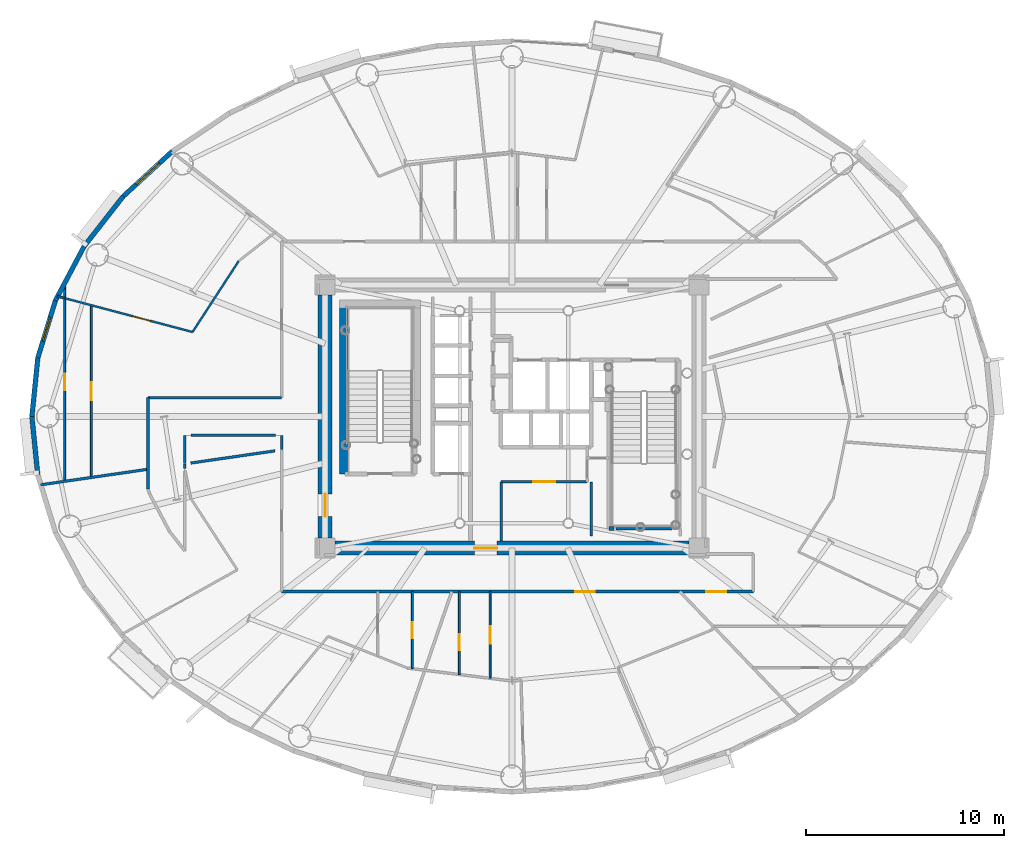
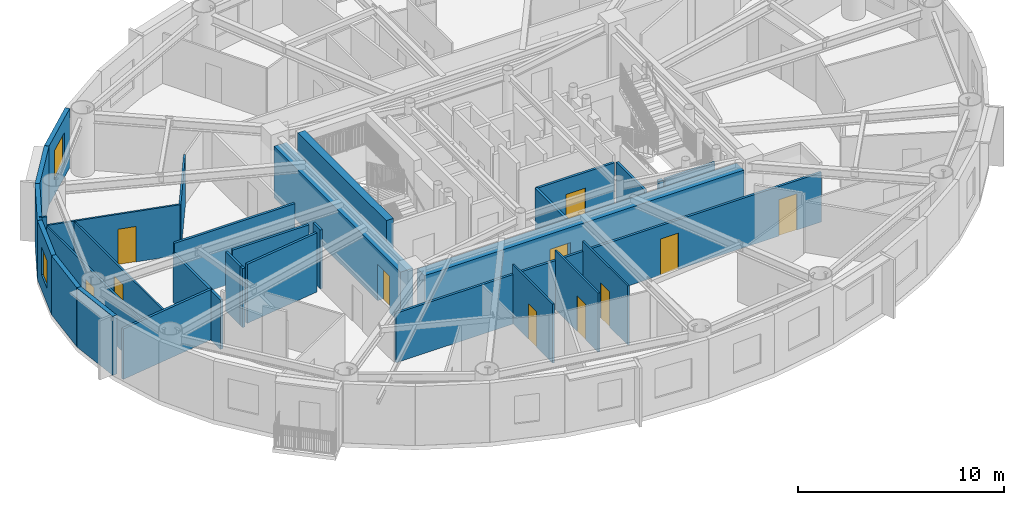
# One storey, part 9 of 20: 31 walls, 11 doors, 2 windows, 13 openings.
"""IFC4 building model written with IfcOpenShell, lengths in metres."""

from ifc_helpers import new_model, si_unit, direction, frame, frame_2d, origin, origin_2d, place, context, subcontext, project, spatial, rectangle, extrude, source, transform, mapped, material, layer, layer_set, type_object, element, fill, save


model = new_model("IFC4")

# Units and contexts
model_context = context("Model", 3, precision=1e-05, world=origin(), true_north=direction((0.0, 1.0)))
body_context = subcontext(model_context, "Body", "Model", "MODEL_VIEW")
ifc_project = project(units=[si_unit("LENGTHUNIT", "METRE"), si_unit("AREAUNIT", "SQUARE_METRE"), si_unit("VOLUMEUNIT", "CUBIC_METRE"), si_unit("PLANEANGLEUNIT", "RADIAN"), si_unit("MASSUNIT", "GRAM", prefix="KILO")], contexts=[model_context])

# Site, building, storey
site_placement = place(None, origin())
site = spatial("IfcSite", under=ifc_project, at=site_placement, CompositionType="ELEMENT")
building_placement = place(site_placement, origin())
building = spatial("IfcBuilding", under=site, at=building_placement, Name="Linh Dai School and Residence Tower", CompositionType="ELEMENT")
storey_placement = place(building_placement, frame((0.0, 0.0, 232.800048828125)))
storey = spatial("IfcBuildingStorey", under=building, at=storey_placement, Name="L57", CompositionType="ELEMENT", Elevation=232.800048828125)

# Wall, opening, window
ifc_material_1 = material(Name="Precast Concrete B45 (C35/45)", Category="concrete")
ifc_layer_1 = layer(ifc_material_1, 0.239990234375)
ifc_layer_set_1 = layer_set([ifc_layer_1], Name="Precast Concrete B45 (C35/45)")
wall_type_1 = type_object("IfcWallType", Name="EW-TC-240", PredefinedType="SOLIDWALL", material=ifc_layer_set_1)
wall_1_placement = place(storey_placement, frame((16.3515625, 38.14453125, 0.0), z_axis=(0.0, 0.0, 1.0), x_axis=(0.737123922599, 0.675757591694, 0.0)))
wall_1 = element("IfcWall", 1, at=wall_1_placement, inside=storey, type_object=wall_type_1, Name="L57 Terracotta Exterior Wall 16", PredefinedType="SOLIDWALL", context=body_context, shape_type="SweptSolid", body=[
    extrude(rectangle(XDim=3.353759765625, YDim=0.239990234375, at=frame_2d((1.6767578125, 0.0))), origin(), (0.0, 0.0, 1.0), 3.5),
])
opening_1_placement = place(wall_1_placement, frame((0.87255859375, 0.0, 0.89990234375)))
opening_1 = element("IfcOpeningElement", 2, at=opening_1_placement, cuts=wall_1, Name="Opening W2", PredefinedType="OPENING", context=body_context, shape_type="SweptSolid", body=[
    extrude(rectangle(XDim=1.60009765625, YDim=1.75, at=origin_2d()), frame((0.800048828125, 0.1298828125, 0.875), z_axis=(0.0, -1.0, 0.0), x_axis=(1.0, 0.0, 0.0)), (0.0, 0.0, 1.0), 0.260009765625),
])
ifc_material_2 = material(Name="Double Low-E Insulated Glazing", Category="glass")
window_type_1 = type_object("IfcWindowType", Name="WN-RES-1600x1750", PartitioningType="DOUBLE_PANEL_VERTICAL", PredefinedType="WINDOW", material=ifc_material_2)
shared_shape_1 = source(origin(), body_context, "Body", "SweptSolid", [
    extrude(rectangle(XDim=1.60009765625, YDim=1.75, at=origin_2d()), frame((0.800048828125, 0.030029296875, 0.875), z_axis=(0.0, -1.0, 0.0), x_axis=(1.0, 0.0, 0.0)), (0.0, 0.0, 1.0), 0.06005859375),
])
window_1_placement = place(opening_1_placement, origin())
window_1 = element("IfcWindow", 3, at=window_1_placement, inside=storey, type_object=window_type_1, Name="L57 Exterior Window 16.1", OverallHeight=1.75, OverallWidth=1.60009765625, PartitioningType="DOUBLE_PANEL_VERTICAL", PredefinedType="WINDOW", context=body_context, shape_type="MappedRepresentation", body=[
    mapped(shared_shape_1, transform((0.0, 0.0, 0.0), x_axis=(1.0, 0.0, 0.0), y_axis=(0.0, 1.0, 0.0), z_axis=(0.0, 0.0, 1.0), scale=1.0)),
])
fill(opening_1, window_1)

# Walls
wall_2_placement = place(storey_placement, frame((14.3642578125, 35.605224609375, 0.0), z_axis=(0.0, 0.0, 1.0), x_axis=(0.616312344705, 0.787501805562, 0.0)))
element("IfcWall", 4, at=wall_2_placement, inside=storey, type_object=wall_type_1, Name="L57 Terracotta Exterior Wall 17", PredefinedType="SOLIDWALL", context=body_context, shape_type="SweptSolid", body=[
    extrude(rectangle(XDim=3.224609375, YDim=0.239990234375, at=frame_2d((1.6123046875, 0.0))), origin(), (0.0, 0.0, 1.0), 3.5),
])
wall_3_placement = place(storey_placement, frame((12.90966796875, 32.85595703125, 0.0), z_axis=(0.0, 0.0, 1.0), x_axis=(0.46766049993, 0.883908172157, 0.0)))
element("IfcWall", 5, at=wall_3_placement, inside=storey, type_object=wall_type_1, Name="L57 Terracotta Exterior Wall 18", PredefinedType="SOLIDWALL", context=body_context, shape_type="SweptSolid", body=[
    extrude(rectangle(XDim=3.1103515625, YDim=0.239990234375, at=frame_2d((1.55517578125, 0.0))), origin(), (0.0, 0.0, 1.0), 3.5),
])

# Wall, opening, window
wall_4_placement = place(storey_placement, frame((12.02294921875, 29.9638671875, 0.0), z_axis=(0.0, 0.0, 1.0), x_axis=(0.293132907334, 0.95607170162, 0.0)))
wall_4 = element("IfcWall", 6, at=wall_4_placement, inside=storey, type_object=wall_type_1, Name="L57 Terracotta Exterior Wall 19", PredefinedType="SOLIDWALL", context=body_context, shape_type="SweptSolid", body=[
    extrude(rectangle(XDim=3.02490234375, YDim=0.239990234375, at=frame_2d((1.512451171875, 0.0))), origin(), (0.0, 0.0, 1.0), 3.5),
])
opening_2_placement = place(wall_4_placement, frame((0.887451171875, 0.0, 0.89990234375)))
opening_2 = element("IfcOpeningElement", 7, at=opening_2_placement, cuts=wall_4, Name="Opening W3", PredefinedType="OPENING", context=body_context, shape_type="SweptSolid", body=[
    extrude(rectangle(XDim=1.25, YDim=1.64990234375, at=origin_2d()), frame((0.625, 0.1298828125, 0.824951171875), z_axis=(0.0, -1.0, 0.0), x_axis=(1.0, 0.0, 0.0)), (0.0, 0.0, 1.0), 0.260009765625),
])
window_type_2 = type_object("IfcWindowType", Name="WN-RES-1250x1650", PartitioningType="SINGLE_PANEL", PredefinedType="WINDOW", material=ifc_material_2)
shared_shape_2 = source(origin(), body_context, "Body", "SweptSolid", [
    extrude(rectangle(XDim=1.25, YDim=1.64990234375, at=origin_2d()), frame((0.625, 0.030029296875, 0.824951171875), z_axis=(0.0, -1.0, 0.0), x_axis=(1.0, 0.0, 0.0)), (0.0, 0.0, 1.0), 0.06005859375),
])
window_2_placement = place(opening_2_placement, origin())
window_2 = element("IfcWindow", 8, at=window_2_placement, inside=storey, type_object=window_type_2, Name="L57 Exterior Window 19.1", OverallHeight=1.64990234375, OverallWidth=1.25, PartitioningType="SINGLE_PANEL", PredefinedType="WINDOW", context=body_context, shape_type="MappedRepresentation", body=[
    mapped(shared_shape_2, transform((0.0, 0.0, 0.0), x_axis=(1.0, 0.0, 0.0), y_axis=(0.0, 1.0, 0.0), z_axis=(0.0, 0.0, 1.0), scale=1.0)),
])
fill(opening_2, window_2)

# Walls
for number, where, z_axis, x_axis, name in (
    (9, (11.72509765625, 27.0, 0.0), (0.0, 0.0, 1.0), (0.099990595253, 0.994988382274, 0.0), "L57 Terracotta Exterior Wall 20"),
    (10, (12.02294921875, 24.0361328125, 0.0), (0.0, 0.0, 1.0), (-0.099990595253, 0.994988382274, 0.0), "L57 Terracotta Exterior Wall 21"),
):
    element("IfcWall", number, at=place(storey_placement, frame(where, z_axis=z_axis, x_axis=x_axis)), inside=storey, type_object=wall_type_1, Name=name, PredefinedType="SOLIDWALL", context=body_context, shape_type="SweptSolid", body=[
        extrude(rectangle(XDim=2.978759765625, YDim=0.239990234375, at=frame_2d((1.4892578125, 0.0))), origin(), (0.0, 0.0, 1.0), 3.5),
    ])
ifc_material_3 = material(Name="Autoclaved Aerated Concrete Blockwork", Category="masonry")
ifc_layer_2 = layer(ifc_material_3, 0.135009765625)
ifc_layer_set_2 = layer_set([ifc_layer_2], Name="Autoclaved Aerated Concrete Blockwork")
wall_type_2 = type_object("IfcWallType", Name="IW-CORR-135-EI90", PredefinedType="PARTITIONING", material=ifc_layer_set_2)
wall_5_placement = place(storey_placement, frame((12.16748046875, 23.5478515625, 0.0), z_axis=(0.0, 0.0, 1.0), x_axis=(0.989672764262, 0.143345106921, 0.0)))
element("IfcWall", 11, at=wall_5_placement, inside=storey, type_object=wall_type_2, Name="L57 Interior Partition Wall 001", PredefinedType="PARTITIONING", context=body_context, shape_type="SweptSolid", body=[
    extrude(rectangle(XDim=5.4892578125, YDim=0.135009765625, at=frame_2d((2.74462890625, 0.0))), origin(), (0.0, 0.0, 1.0), 2.98486328125),
])
wall_6_placement = place(storey_placement, frame((17.60009765625, 23.327880859375, 0.0), z_axis=(0.0, 0.0, 1.0), x_axis=(0.0, 1.0, 0.0)))
element("IfcWall", 12, at=wall_6_placement, inside=storey, type_object=wall_type_2, Name="L57 Interior Partition Wall 007", PredefinedType="PARTITIONING", context=body_context, shape_type="SweptSolid", body=[
    extrude(rectangle(XDim=4.6220703125, YDim=0.135009765625, at=frame_2d((2.31103515625, 0.0))), origin(), (0.0, 0.0, 1.0), 2.93505859375),
])
wall_7_placement = place(storey_placement, frame((17.60009765625, 27.949951171875, 0.0), z_axis=(0.0, 0.0, 1.0), x_axis=(1.0, 0.0, 0.0)))
element("IfcWall", 13, at=wall_7_placement, inside=storey, type_object=wall_type_2, Name="L57 Interior Partition Wall 009", PredefinedType="PARTITIONING", context=body_context, shape_type="SweptSolid", body=[
    extrude(rectangle(XDim=6.75, YDim=0.135009765625, at=frame_2d((3.375, 0.0))), origin(), (0.0, 0.0, 1.0), 3.5),
])
wall_8_placement = place(storey_placement, frame((19.449951171875, 24.3798828125, 0.0), z_axis=(0.0, 0.0, 1.0), x_axis=(0.0, 1.0, 0.0)))
element("IfcWall", 14, at=wall_8_placement, inside=storey, type_object=wall_type_2, Name="L57 Interior Partition Wall 014", PredefinedType="PARTITIONING", context=body_context, shape_type="SweptSolid", body=[
    extrude(rectangle(XDim=0.222900390625, YDim=0.135009765625, at=frame_2d((0.111328125, 0.0))), origin(), (0.0, 0.0, 1.0), 3.5),
])

# Wall, openings, doors
wall_9_placement = place(storey_placement, frame((24.35009765625, 18.14990234375, 0.0), z_axis=(0.0, 0.0, 1.0), x_axis=(1.0, 0.0, 0.0)))
wall_9 = element("IfcWall", 15, at=wall_9_placement, inside=storey, type_object=wall_type_2, Name="L57 Interior Partition Wall 021", PredefinedType="PARTITIONING", context=body_context, shape_type="SweptSolid", body=[
    extrude(rectangle(XDim=23.849853515625, YDim=0.135009765625, at=frame_2d((11.9248046875, 0.0))), origin(), (0.0, 0.0, 1.0), 2.93505859375),
])
opening_3_placement = place(wall_9_placement, frame((14.838134765625, 0.0, 0.0)))
opening_3 = element("IfcOpeningElement", 16, at=opening_3_placement, cuts=wall_9, Name="Opening D03", PredefinedType="OPENING", context=body_context, shape_type="SweptSolid", body=[
    extrude(rectangle(XDim=1.0, YDim=2.14990234375, at=origin_2d()), frame((0.5, 0.07763671875, 1.074951171875), z_axis=(0.0, -1.0, 0.0), x_axis=(1.0, 0.0, 0.0)), (0.0, 0.0, 1.0), 0.155029296875),
])
opening_4_placement = place(wall_9_placement, frame((21.472412109375, 0.0, 0.0)))
opening_4 = element("IfcOpeningElement", 17, at=opening_4_placement, cuts=wall_9, Name="Opening D03", PredefinedType="OPENING", context=body_context, shape_type="SweptSolid", body=[
    extrude(rectangle(XDim=1.0, YDim=2.14990234375, at=origin_2d()), frame((0.5, 0.07763671875, 1.074951171875), z_axis=(0.0, -1.0, 0.0), x_axis=(1.0, 0.0, 0.0)), (0.0, 0.0, 1.0), 0.155029296875),
])
ifc_material_4 = material(Name="Fire-Rated Solid Timber Entrance Door", Category="wood")
door_type_1 = type_object("IfcDoorType", Name="DR-FLAT-1000x2150-FD60S", OperationType="NOTDEFINED", PredefinedType="DOOR", material=ifc_material_4)
shared_shape_3 = source(origin(), body_context, "Body", "SweptSolid", [
    extrude(rectangle(XDim=1.0, YDim=2.14990234375, at=origin_2d()), frame((0.5, 0.02490234375, 1.074951171875), z_axis=(0.0, -1.0, 0.0), x_axis=(1.0, 0.0, 0.0)), (0.0, 0.0, 1.0), 0.050048828125),
])
door_1_placement = place(opening_3_placement, origin())
door_1 = element("IfcDoor", 18, at=door_1_placement, inside=storey, type_object=door_type_1, Name="L57 U5704 Apartment Entrance Door", OperationType="SINGLE_SWING_LEFT", OverallHeight=2.14990234375, OverallWidth=1.0, PredefinedType="DOOR", context=body_context, shape_type="MappedRepresentation", body=[
    mapped(shared_shape_3, transform((0.0, 0.0, 0.0), x_axis=(1.0, 0.0, 0.0), y_axis=(0.0, 1.0, 0.0), z_axis=(0.0, 0.0, 1.0), scale=1.0)),
])
fill(opening_3, door_1)
door_2_placement = place(opening_4_placement, origin())
door_2 = element("IfcDoor", 19, at=door_2_placement, inside=storey, type_object=door_type_1, Name="L57 U5705 Apartment Entrance Door", OperationType="SINGLE_SWING_RIGHT", OverallHeight=2.14990234375, OverallWidth=1.0, PredefinedType="DOOR", context=body_context, shape_type="MappedRepresentation", body=[
    mapped(shared_shape_3, transform((0.0, 0.0, 0.0), x_axis=(1.0, 0.0, 0.0), y_axis=(0.0, 1.0, 0.0), z_axis=(0.0, 0.0, 1.0), scale=1.0)),
])
fill(opening_4, door_2)

# Wall
wall_10_placement = place(storey_placement, frame((35.449951171875, 20.699951171875, 0.0), z_axis=(0.0, 0.0, 1.0), x_axis=(0.0, 1.0, 0.0)))
element("IfcWall", 20, at=wall_10_placement, inside=storey, type_object=wall_type_2, Name="L57 Interior Partition Wall 052", PredefinedType="PARTITIONING", context=body_context, shape_type="SweptSolid", body=[
    extrude(rectangle(XDim=3.0, YDim=0.135009765625, at=frame_2d((1.5, 0.0))), origin(), (0.0, 0.0, 1.0), 3.0849609375),
])

# Wall, opening, door
wall_11_placement = place(storey_placement, frame((35.449951171875, 23.699951171875, 0.0), z_axis=(0.0, 0.0, 1.0), x_axis=(1.0, 0.0, 0.0)))
wall_11 = element("IfcWall", 21, at=wall_11_placement, inside=storey, type_object=wall_type_2, Name="L57 Interior Partition Wall 053", PredefinedType="PARTITIONING", context=body_context, shape_type="SweptSolid", body=[
    extrude(rectangle(XDim=4.35009765625, YDim=0.135009765625, at=frame_2d((2.175048828125, 0.0))), origin(), (0.0, 0.0, 1.0), 3.0849609375),
])
opening_5_placement = place(wall_11_placement, frame((1.625, 0.0, 0.0)))
opening_5 = element("IfcOpeningElement", 22, at=opening_5_placement, cuts=wall_11, Name="Opening D07", PredefinedType="OPENING", context=body_context, shape_type="SweptSolid", body=[
    extrude(rectangle(XDim=1.10009765625, YDim=2.14990234375, at=origin_2d()), frame((0.550048828125, 0.07763671875, 1.074951171875), z_axis=(0.0, -1.0, 0.0), x_axis=(1.0, 0.0, 0.0)), (0.0, 0.0, 1.0), 0.155029296875),
])
ifc_material_5 = material(Name="Fire-Rated Louvred Steel Plant Door", Category="steel")
door_type_2 = type_object("IfcDoorType", Name="DR-PLT-1100x2150-FD60S", OperationType="NOTDEFINED", PredefinedType="DOOR", material=ifc_material_5)
shared_shape_4 = source(origin(), body_context, "Body", "SweptSolid", [
    extrude(rectangle(XDim=1.10009765625, YDim=2.14990234375, at=origin_2d()), frame((0.550048828125, 0.02490234375, 1.074951171875), z_axis=(0.0, -1.0, 0.0), x_axis=(1.0, 0.0, 0.0)), (0.0, 0.0, 1.0), 0.050048828125),
])
door_3_placement = place(opening_5_placement, origin())
door_3 = element("IfcDoor", 23, at=door_3_placement, inside=storey, type_object=door_type_2, Name="L57 Tenant Metering and BMS Room Door", OperationType="SINGLE_SWING_RIGHT", OverallHeight=2.14990234375, OverallWidth=1.10009765625, PredefinedType="DOOR", context=body_context, shape_type="MappedRepresentation", body=[
    mapped(shared_shape_4, transform((0.0, 0.0, 0.0), x_axis=(1.0, 0.0, 0.0), y_axis=(0.0, 1.0, 0.0), z_axis=(0.0, 0.0, 1.0), scale=1.0)),
])
fill(opening_5, door_3)

# Walls
wall_12_placement = place(storey_placement, frame((44.080078125, 21.330078125, 0.0), z_axis=(0.0, 0.0, 1.0), x_axis=(-1.0, 0.0, 0.0)))
element("IfcWall", 24, at=wall_12_placement, inside=storey, type_object=wall_type_2, Name="L57 Interior Partition Wall 098", PredefinedType="PARTITIONING", context=body_context, shape_type="SweptSolid", body=[
    extrude(rectangle(XDim=2.820068359375, YDim=0.135009765625, at=frame_2d((1.41015625, 0.0))), origin(), (0.0, 0.0, 1.0), 3.034912109375),
])
wall_13_placement = place(storey_placement, frame((40.0, 23.699951171875, 0.0), z_axis=(0.0, 0.0, 1.0), x_axis=(0.0, -1.0, 0.0)))
element("IfcWall", 25, at=wall_13_placement, inside=storey, type_object=wall_type_2, Name="L57 Interior Partition Wall 100", PredefinedType="PARTITIONING", context=body_context, shape_type="SweptSolid", body=[
    extrude(rectangle(XDim=2.739990234375, YDim=0.135009765625, at=frame_2d((1.3701171875, 0.0))), origin(), (0.0, 0.0, 1.0), 3.034912109375),
])
wall_14_placement = place(storey_placement, frame((19.449951171875, 26.050048828125, 0.0), z_axis=(0.0, 0.0, 1.0), x_axis=(0.0, -1.0, 0.0)))
element("IfcWall", 26, at=wall_14_placement, inside=storey, type_object=wall_type_2, Name="L57 Interior Partition Wall 104", PredefinedType="PARTITIONING", context=body_context, shape_type="SweptSolid", body=[
    extrude(rectangle(XDim=1.437255859375, YDim=0.135009765625, at=frame_2d((0.71875, 0.0))), origin(), (0.0, 0.0, 1.0), 3.5),
])
wall_15_placement = place(storey_placement, frame((24.35009765625, 25.322509765625, 0.0), z_axis=(0.0, 0.0, 1.0), x_axis=(0.0, 1.0, 0.0)))
element("IfcWall", 27, at=wall_15_placement, inside=storey, type_object=wall_type_2, Name="L57 Interior Partition Wall 112", PredefinedType="PARTITIONING", context=body_context, shape_type="SweptSolid", body=[
    extrude(rectangle(XDim=0.7275390625, YDim=0.135009765625, at=frame_2d((0.36376953125, 0.0))), origin(), (0.0, 0.0, 1.0), 3.5),
])
wall_16_placement = place(storey_placement, frame((24.04248046875, 26.050048828125, 0.0), z_axis=(0.0, 0.0, 1.0), x_axis=(-1.0, 0.0, 0.0)))
element("IfcWall", 28, at=wall_16_placement, inside=storey, type_object=wall_type_2, Name="L57 Interior Partition Wall 113", PredefinedType="PARTITIONING", context=body_context, shape_type="SweptSolid", body=[
    extrude(rectangle(XDim=4.284912109375, YDim=0.135009765625, at=frame_2d((2.142578125, 0.0))), origin(), (0.0, 0.0, 1.0), 3.5),
])
wall_17_placement = place(storey_placement, frame((19.757568359375, 24.647216796875, 0.0), z_axis=(0.0, 0.0, 1.0), x_axis=(0.989666541967, 0.143388059861, 0.0)))
element("IfcWall", 29, at=wall_17_placement, inside=storey, type_object=wall_type_2, Name="L57 Interior Partition Wall 114", PredefinedType="PARTITIONING", context=body_context, shape_type="SweptSolid", body=[
    extrude(rectangle(XDim=4.309326171875, YDim=0.135009765625, at=frame_2d((2.15478515625, 0.0))), origin(), (0.0, 0.0, 1.0), 3.5),
])
ifc_material_6 = material(Name="Concrete B45 (C35/45)", Category="concrete")
ifc_layer_3 = layer(ifc_material_6, 0.199951171875)
ifc_layer_set_3 = layer_set([ifc_layer_3], Name="Concrete B45 (C35/45)")
wall_type_3 = type_object("IfcWallType", Name="IW-SHAFT-200-EI120", PredefinedType="PARTITIONING", material=ifc_layer_set_3)
wall_18_placement = place(storey_placement, frame((40.89990234375, 21.330078125, 0.0), z_axis=(0.0, 0.0, 1.0), x_axis=(1.0, 0.0, 0.0)))
element("IfcWall", 30, at=wall_18_placement, inside=storey, type_object=wall_type_3, Name="L57 Interior Partition Wall 072", PredefinedType="PARTITIONING", context=body_context, shape_type="SweptSolid", body=[
    extrude(rectangle(XDim=0.25, YDim=0.199951171875, at=frame_2d((0.125, 0.0))), origin(), (0.0, 0.0, 1.0), 3.034912109375),
])
ifc_material_7 = material(Name="Gypsum Plasterboard Acoustic Stud Partition", Category="masonry")
ifc_layer_4 = layer(ifc_material_7, 0.10009765625)
ifc_layer_set_4 = layer_set([ifc_layer_4], Name="Gypsum Plasterboard Acoustic Stud Partition")
wall_type_4 = type_object("IfcWallType", Name="IW-UNIT-100", PredefinedType="PARTITIONING", material=ifc_layer_set_4)
wall_19_placement = place(storey_placement, frame((13.02197265625, 33.078857421875, 0.0), z_axis=(0.0, 0.0, 1.0), x_axis=(0.966904841433, -0.255137272097, 0.0)))
element("IfcWall", 31, at=wall_19_placement, inside=storey, type_object=wall_type_4, Name="L57 Interior Partition Wall 002", PredefinedType="PARTITIONING", context=body_context, shape_type="SweptSolid", body=[
    extrude(rectangle(XDim=0.373291015625, YDim=0.10009765625, at=frame_2d((0.1865234375, 0.0))), origin(), (0.0, 0.0, 1.0), 3.5),
])

# Wall, opening, door
wall_20_placement = place(storey_placement, frame((13.392333984375, 32.98095703125, 0.0), z_axis=(0.0, 0.0, 1.0), x_axis=(0.966739802164, -0.255761910595, 0.0)))
wall_20 = element("IfcWall", 32, at=wall_20_placement, inside=storey, type_object=wall_type_4, Name="L57 Interior Partition Wall 003", PredefinedType="PARTITIONING", context=body_context, shape_type="SweptSolid", body=[
    extrude(rectangle(XDim=6.67724609375, YDim=0.10009765625, at=frame_2d((3.338623046875, 0.0))), origin(), (0.0, 0.0, 1.0), 2.98486328125),
])
opening_6_placement = place(wall_20_placement, frame((3.561279296875, 0.0, 0.0)))
opening_6 = element("IfcOpeningElement", 33, at=opening_6_placement, cuts=wall_20, Name="Opening D05", PredefinedType="OPENING", context=body_context, shape_type="SweptSolid", body=[
    extrude(rectangle(XDim=0.89990234375, YDim=2.10009765625, at=origin_2d()), frame((0.449951171875, 0.06005859375, 1.050048828125), z_axis=(0.0, -1.0, 0.0), x_axis=(1.0, 0.0, 0.0)), (0.0, 0.0, 1.0), 0.1201171875),
])
ifc_material_8 = material(Name="Engineered Timber Internal Door", Category="wood")
door_type_3 = type_object("IfcDoorType", Name="DR-INT-900x2100", OperationType="NOTDEFINED", PredefinedType="DOOR", material=ifc_material_8)
shared_shape_5 = source(origin(), body_context, "Body", "SweptSolid", [
    extrude(rectangle(XDim=0.89990234375, YDim=2.10009765625, at=origin_2d()), frame((0.449951171875, 0.02490234375, 1.050048828125), z_axis=(0.0, -1.0, 0.0), x_axis=(1.0, 0.0, 0.0)), (0.0, 0.0, 1.0), 0.050048828125),
])
door_4_placement = place(opening_6_placement, origin())
door_4 = element("IfcDoor", 34, at=door_4_placement, inside=storey, type_object=door_type_3, Name="L57 Apartment U5702 Principal Bedroom 1 Door", OperationType="SINGLE_SWING_LEFT", OverallHeight=2.10009765625, OverallWidth=0.89990234375, PredefinedType="DOOR", context=body_context, shape_type="MappedRepresentation", body=[
    mapped(shared_shape_5, transform((0.0, 0.0, 0.0), x_axis=(1.0, 0.0, 0.0), y_axis=(0.0, 1.0, 0.0), z_axis=(0.0, 0.0, 1.0), scale=1.0)),
])
fill(opening_6, door_4)

wall_21_placement = place(storey_placement, frame((13.3828125, 23.723876953125, 0.0), z_axis=(0.0, 0.0, 1.0), x_axis=(0.0, 1.0, 0.0)))
wall_21 = element("IfcWall", 35, at=wall_21_placement, inside=storey, type_object=wall_type_4, Name="L57 Interior Partition Wall 004", PredefinedType="PARTITIONING", context=body_context, shape_type="SweptSolid", body=[
    extrude(rectangle(XDim=10.036865234375, YDim=0.10009765625, at=frame_2d((5.0185546875, 0.0))), origin(), (0.0, 0.0, 1.0), 2.93505859375),
])
opening_7_placement = place(wall_21_placement, frame((4.6083984375, 0.0, 0.0)))
opening_7 = element("IfcOpeningElement", 36, at=opening_7_placement, cuts=wall_21, Name="Opening D06", PredefinedType="OPENING", context=body_context, shape_type="SweptSolid", body=[
    extrude(rectangle(XDim=0.820068359375, YDim=2.10009765625, at=origin_2d()), frame((0.41015625, 0.06005859375, 1.050048828125), z_axis=(0.0, -1.0, 0.0), x_axis=(1.0, 0.0, 0.0)), (0.0, 0.0, 1.0), 0.1201171875),
])
ifc_material_9 = material(Name="Moisture-Resistant Timber Bathroom Door", Category="wood")
door_type_4 = type_object("IfcDoorType", Name="DR-WET-820x2100", OperationType="NOTDEFINED", PredefinedType="DOOR", material=ifc_material_9)
shared_shape_6 = source(origin(), body_context, "Body", "SweptSolid", [
    extrude(rectangle(XDim=0.820068359375, YDim=2.10009765625, at=origin_2d()), frame((0.41015625, 0.02490234375, 1.050048828125), z_axis=(0.0, -1.0, 0.0), x_axis=(1.0, 0.0, 0.0)), (0.0, 0.0, 1.0), 0.050048828125),
])
door_5_placement = place(opening_7_placement, origin())
door_5 = element("IfcDoor", 37, at=door_5_placement, inside=storey, type_object=door_type_4, Name="L57 Apartment U5702 Bathroom 1 Door", OperationType="SINGLE_SWING_LEFT", OverallHeight=2.10009765625, OverallWidth=0.820068359375, PredefinedType="DOOR", context=body_context, shape_type="MappedRepresentation", body=[
    mapped(shared_shape_6, transform((0.0, 0.0, 0.0), x_axis=(1.0, 0.0, 0.0), y_axis=(0.0, 1.0, 0.0), z_axis=(0.0, 0.0, 1.0), scale=1.0)),
])
fill(opening_7, door_5)

wall_22_placement = place(storey_placement, frame((14.731689453125, 23.919189453125, 0.0), z_axis=(0.0, 0.0, 1.0), x_axis=(0.0, 1.0, 0.0)))
wall_22 = element("IfcWall", 38, at=wall_22_placement, inside=storey, type_object=wall_type_4, Name="L57 Interior Partition Wall 005", PredefinedType="PARTITIONING", context=body_context, shape_type="SweptSolid", body=[
    extrude(rectangle(XDim=8.70751953125, YDim=0.10009765625, at=frame_2d((4.353759765625, 0.0))), origin(), (0.0, 0.0, 1.0), 2.93505859375),
])
opening_8_placement = place(wall_22_placement, frame((3.90380859375, 0.0, 0.0)))
opening_8 = element("IfcOpeningElement", 39, at=opening_8_placement, cuts=wall_22, Name="Opening D05", PredefinedType="OPENING", context=body_context, shape_type="SweptSolid", body=[
    extrude(rectangle(XDim=0.89990234375, YDim=2.10009765625, at=origin_2d()), frame((0.449951171875, 0.06005859375, 1.050048828125), z_axis=(0.0, -1.0, 0.0), x_axis=(1.0, 0.0, 0.0)), (0.0, 0.0, 1.0), 0.1201171875),
])
door_6_placement = place(opening_8_placement, origin())
door_6 = element("IfcDoor", 40, at=door_6_placement, inside=storey, type_object=door_type_3, Name="L57 Apartment U5702 Kitchen Door", OperationType="SINGLE_SWING_RIGHT", OverallHeight=2.10009765625, OverallWidth=0.89990234375, PredefinedType="DOOR", context=body_context, shape_type="MappedRepresentation", body=[
    mapped(shared_shape_5, transform((0.0, 0.0, 0.0), x_axis=(1.0, 0.0, 0.0), y_axis=(0.0, 1.0, 0.0), z_axis=(0.0, 0.0, 1.0), scale=1.0)),
])
fill(opening_8, door_6)

# Wall
wall_23_placement = place(storey_placement, frame((19.847412109375, 31.273193359375, 0.0), z_axis=(0.0, 0.0, 1.0), x_axis=(0.545399280946, 0.83817636828, 0.0)))
element("IfcWall", 41, at=wall_23_placement, inside=storey, type_object=wall_type_4, Name="L57 Interior Partition Wall 017", PredefinedType="PARTITIONING", context=body_context, shape_type="SweptSolid", body=[
    extrude(rectangle(XDim=4.2802734375, YDim=0.10009765625, at=frame_2d((2.14013671875, 0.0))), origin(), (0.0, 0.0, 1.0), 2.93505859375),
])

# Wall, opening, door
wall_24_placement = place(storey_placement, frame((30.96484375, 14.2509765625, 0.0), z_axis=(0.0, 0.0, 1.0), x_axis=(0.0, 1.0, 0.0)))
wall_24 = element("IfcWall", 42, at=wall_24_placement, inside=storey, type_object=wall_type_4, Name="L57 Interior Partition Wall 032", PredefinedType="PARTITIONING", context=body_context, shape_type="SweptSolid", body=[
    extrude(rectangle(XDim=3.89892578125, YDim=0.10009765625, at=frame_2d((1.949462890625, 0.0))), origin(), (0.0, 0.0, 1.0), 3.5),
])
opening_9_placement = place(wall_24_placement, frame((1.53955078125, 0.0, 0.0)))
opening_9 = element("IfcOpeningElement", 43, at=opening_9_placement, cuts=wall_24, Name="Opening D06", PredefinedType="OPENING", context=body_context, shape_type="SweptSolid", body=[
    extrude(rectangle(XDim=0.820068359375, YDim=2.10009765625, at=origin_2d()), frame((0.41015625, 0.06005859375, 1.050048828125), z_axis=(0.0, -1.0, 0.0), x_axis=(1.0, 0.0, 0.0)), (0.0, 0.0, 1.0), 0.1201171875),
])
door_7_placement = place(opening_9_placement, origin())
door_7 = element("IfcDoor", 44, at=door_7_placement, inside=storey, type_object=door_type_4, Name="L57 Apartment U5703 Bathroom 1 Door", OperationType="SINGLE_SWING_RIGHT", OverallHeight=2.10009765625, OverallWidth=0.820068359375, PredefinedType="DOOR", context=body_context, shape_type="MappedRepresentation", body=[
    mapped(shared_shape_6, transform((0.0, 0.0, 0.0), x_axis=(1.0, 0.0, 0.0), y_axis=(0.0, 1.0, 0.0), z_axis=(0.0, 0.0, 1.0), scale=1.0)),
])
fill(opening_9, door_7)

wall_25_placement = place(storey_placement, frame((33.344970703125, 13.955810546875, 0.0), z_axis=(0.0, 0.0, 1.0), x_axis=(0.0, 1.0, 0.0)))
wall_25 = element("IfcWall", 45, at=wall_25_placement, inside=storey, type_object=wall_type_4, Name="L57 Interior Partition Wall 042", PredefinedType="PARTITIONING", context=body_context, shape_type="SweptSolid", body=[
    extrude(rectangle(XDim=4.194091796875, YDim=0.10009765625, at=frame_2d((2.09716796875, 0.0))), origin(), (0.0, 0.0, 1.0), 3.5),
])
opening_10_placement = place(wall_25_placement, frame((1.217041015625, 0.0, 0.0)))
opening_10 = element("IfcOpeningElement", 46, at=opening_10_placement, cuts=wall_25, Name="Opening D06", PredefinedType="OPENING", context=body_context, shape_type="SweptSolid", body=[
    extrude(rectangle(XDim=0.820068359375, YDim=2.10009765625, at=origin_2d()), frame((0.41015625, 0.06005859375, 1.050048828125), z_axis=(0.0, -1.0, 0.0), x_axis=(1.0, 0.0, 0.0)), (0.0, 0.0, 1.0), 0.1201171875),
])
door_8_placement = place(opening_10_placement, origin())
door_8 = element("IfcDoor", 47, at=door_8_placement, inside=storey, type_object=door_type_4, Name="L57 Apartment U5704 Bathroom 1 Door", OperationType="SINGLE_SWING_LEFT", OverallHeight=2.10009765625, OverallWidth=0.820068359375, PredefinedType="DOOR", context=body_context, shape_type="MappedRepresentation", body=[
    mapped(shared_shape_6, transform((0.0, 0.0, 0.0), x_axis=(1.0, 0.0, 0.0), y_axis=(0.0, 1.0, 0.0), z_axis=(0.0, 0.0, 1.0), scale=1.0)),
])
fill(opening_10, door_8)

wall_26_placement = place(storey_placement, frame((34.89111328125, 13.763916015625, 0.0), z_axis=(0.0, 0.0, 1.0), x_axis=(0.0, 1.0, 0.0)))
wall_26 = element("IfcWall", 48, at=wall_26_placement, inside=storey, type_object=wall_type_4, Name="L57 Interior Partition Wall 045", PredefinedType="PARTITIONING", context=body_context, shape_type="SweptSolid", body=[
    extrude(rectangle(XDim=4.385986328125, YDim=0.10009765625, at=frame_2d((2.19287109375, 0.0))), origin(), (0.0, 0.0, 1.0), 3.5),
])
opening_11_placement = place(wall_26_placement, frame((1.742919921875, 0.0, 0.0)))
opening_11 = element("IfcOpeningElement", 49, at=opening_11_placement, cuts=wall_26, Name="Opening D05", PredefinedType="OPENING", context=body_context, shape_type="SweptSolid", body=[
    extrude(rectangle(XDim=0.89990234375, YDim=2.10009765625, at=origin_2d()), frame((0.449951171875, 0.06005859375, 1.050048828125), z_axis=(0.0, -1.0, 0.0), x_axis=(1.0, 0.0, 0.0)), (0.0, 0.0, 1.0), 0.1201171875),
])
door_9_placement = place(opening_11_placement, origin())
door_9 = element("IfcDoor", 50, at=door_9_placement, inside=storey, type_object=door_type_3, Name="L57 Apartment U5704 Kitchen Door", OperationType="SINGLE_SWING_RIGHT", OverallHeight=2.10009765625, OverallWidth=0.89990234375, PredefinedType="DOOR", context=body_context, shape_type="MappedRepresentation", body=[
    mapped(shared_shape_5, transform((0.0, 0.0, 0.0), x_axis=(1.0, 0.0, 0.0), y_axis=(0.0, 1.0, 0.0), z_axis=(0.0, 0.0, 1.0), scale=1.0)),
])
fill(opening_11, door_9)

# Wall
ifc_layer_5 = layer(ifc_material_6, 0.39990234375)
ifc_layer_set_5 = layer_set([ifc_layer_5], Name="Concrete B45 (C35/45)")
wall_type_5 = type_object("IfcWallType", Name="WL-CORE400", PredefinedType="SHEAR", material=ifc_layer_set_5)
wall_27_placement = place(storey_placement, frame((27.47998046875, 24.10009765625, 0.0), z_axis=(0.0, 0.0, 1.0), x_axis=(0.0, 1.0, 0.0)))
element("IfcWall", 51, at=wall_27_placement, inside=storey, type_object=wall_type_5, Name="L57 Core Stair ST1 Bearing Wall W", PredefinedType="SHEAR", context=body_context, shape_type="SweptSolid", body=[
    extrude(rectangle(XDim=8.599853515625, YDim=0.39990234375, at=frame_2d((4.2998046875, 0.0))), origin(), (0.0, 0.0, 1.0), 3.75),
])

# Wall, opening, door
ifc_layer_6 = layer(ifc_material_6, 0.699951171875)
ifc_layer_set_6 = layer_set([ifc_layer_6], Name="Concrete B45 (C35/45)")
wall_type_6 = type_object("IfcWallType", Name="WL-CORE700", PredefinedType="SHEAR", material=ifc_layer_set_6)
wall_28_placement = place(storey_placement, frame((44.949951171875, 20.35009765625, 0.0), z_axis=(0.0, 0.0, 1.0), x_axis=(-1.0, 0.0, 0.0)))
wall_28 = element("IfcWall", 52, at=wall_28_placement, inside=storey, type_object=wall_type_6, Name="L57 Central Core Shear Wall S", PredefinedType="SHEAR", context=body_context, shape_type="SweptSolid", body=[
    extrude(rectangle(XDim=17.89990234375, YDim=0.699951171875, at=frame_2d((8.949951171875, 0.0))), origin(), (0.0, 0.0, 1.0), 3.050048828125),
])
opening_12_placement = place(wall_28_placement, frame((9.699951171875, 0.0, 0.0)))
opening_12 = element("IfcOpeningElement", 53, at=opening_12_placement, cuts=wall_28, Name="Opening D02", PredefinedType="OPENING", context=body_context, shape_type="SweptSolid", body=[
    extrude(rectangle(XDim=1.14990234375, YDim=2.14990234375, at=origin_2d()), frame((0.574951171875, 0.35986328125, 1.074951171875), z_axis=(0.0, -1.0, 0.0), x_axis=(1.0, 0.0, 0.0)), (0.0, 0.0, 1.0), 0.719970703125),
])
ifc_material_10 = material(Name="Fire-Rated Glazed Steel Lobby Door", Category="steel")
door_type_5 = type_object("IfcDoorType", Name="DR-LOBBY-1150x2150-FD90S", OperationType="NOTDEFINED", PredefinedType="DOOR", material=ifc_material_10)
shared_shape_7 = source(origin(), body_context, "Body", "SweptSolid", [
    extrude(rectangle(XDim=1.14990234375, YDim=2.14990234375, at=origin_2d()), frame((0.574951171875, 0.02490234375, 1.074951171875), z_axis=(0.0, -1.0, 0.0), x_axis=(1.0, 0.0, 0.0)), (0.0, 0.0, 1.0), 0.050048828125),
])
door_10_placement = place(opening_12_placement, origin())
door_10 = element("IfcDoor", 54, at=door_10_placement, inside=storey, type_object=door_type_5, Name="L57 Passenger Foyer Access Door", OperationType="SINGLE_SWING_LEFT", OverallHeight=2.14990234375, OverallWidth=1.14990234375, PredefinedType="DOOR", context=body_context, shape_type="MappedRepresentation", body=[
    mapped(shared_shape_7, transform((0.0, 0.0, 0.0), x_axis=(1.0, 0.0, 0.0), y_axis=(0.0, 1.0, 0.0), z_axis=(0.0, 0.0, 1.0), scale=1.0)),
])
fill(opening_12, door_10)

wall_29_placement = place(storey_placement, frame((26.550048828125, 20.85009765625, 0.0), z_axis=(0.0, 0.0, 1.0), x_axis=(0.0, 1.0, 0.0)))
wall_29 = element("IfcWall", 55, at=wall_29_placement, inside=storey, type_object=wall_type_6, Name="L57 Central Core Shear Wall W", PredefinedType="SHEAR", context=body_context, shape_type="SweptSolid", body=[
    extrude(rectangle(XDim=12.2998046875, YDim=0.699951171875, at=frame_2d((6.14990234375, 0.0))), origin(), (0.0, 0.0, 1.0), 3.050048828125),
])
opening_13_placement = place(wall_29_placement, frame((1.085205078125, 0.0, 0.0)))
opening_13 = element("IfcOpeningElement", 56, at=opening_13_placement, cuts=wall_29, Name="Opening D02", PredefinedType="OPENING", context=body_context, shape_type="SweptSolid", body=[
    extrude(rectangle(XDim=1.14990234375, YDim=2.14990234375, at=origin_2d()), frame((0.574951171875, 0.35986328125, 1.074951171875), z_axis=(0.0, -1.0, 0.0), x_axis=(1.0, 0.0, 0.0)), (0.0, 0.0, 1.0), 0.719970703125),
])
door_11_placement = place(opening_13_placement, origin())
door_11 = element("IfcDoor", 57, at=door_11_placement, inside=storey, type_object=door_type_5, Name="L57 Firefighting Lobby Door", OperationType="SINGLE_SWING_LEFT", OverallHeight=2.14990234375, OverallWidth=1.14990234375, PredefinedType="DOOR", context=body_context, shape_type="MappedRepresentation", body=[
    mapped(shared_shape_7, transform((0.0, 0.0, 0.0), x_axis=(1.0, 0.0, 0.0), y_axis=(0.0, 1.0, 0.0), z_axis=(0.0, 0.0, 1.0), scale=1.0)),
])
fill(opening_13, door_11)

save(model, "model.ifc")
